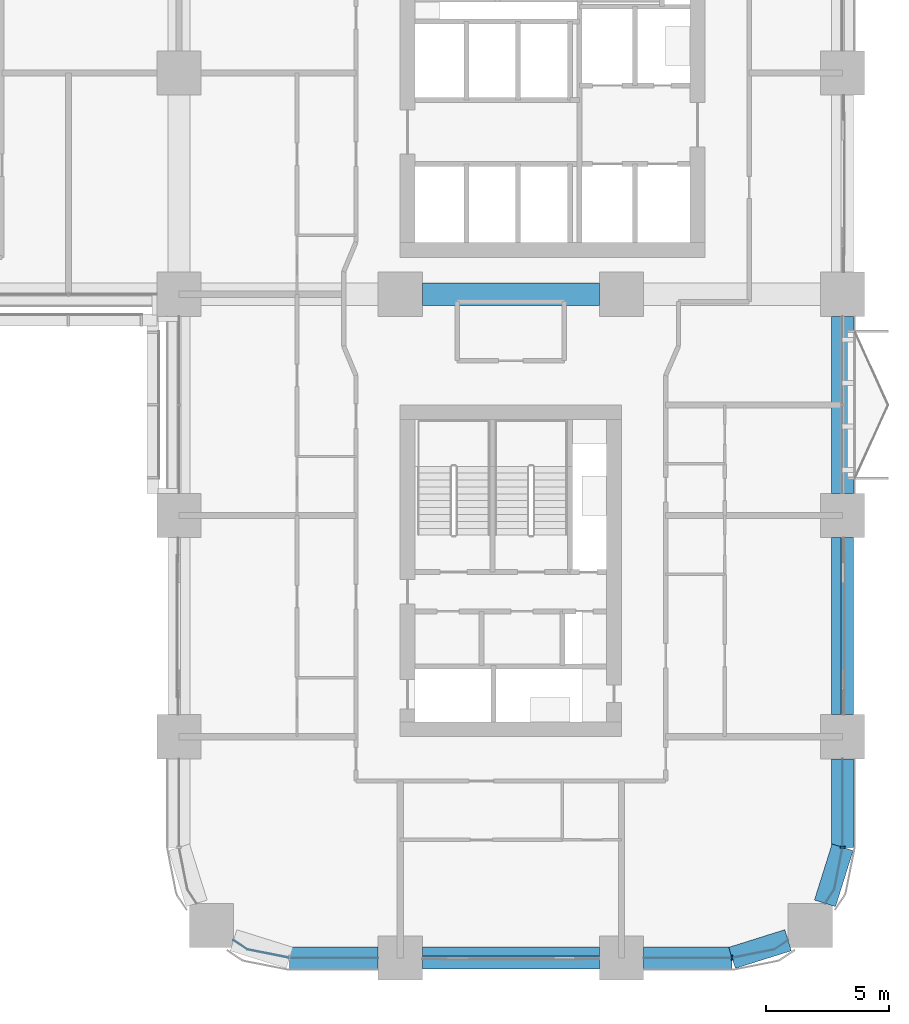
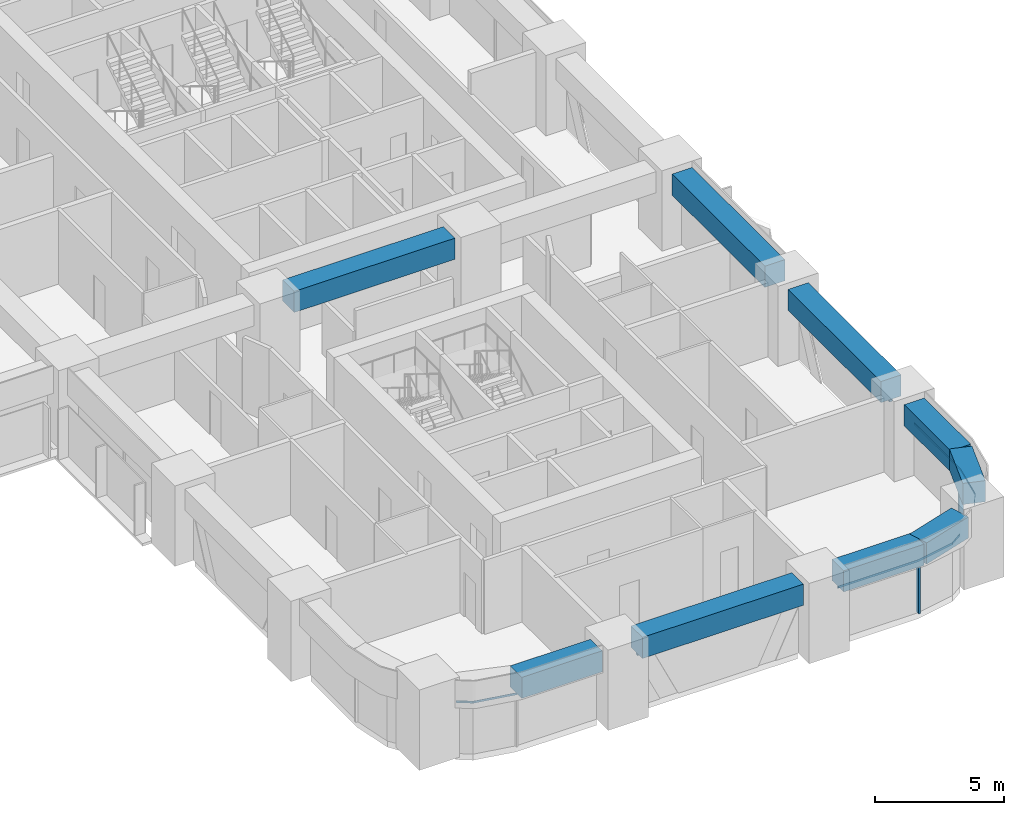
# One storey, part 4 of 18: 9 beams, 7 members, 5 elements without a shape of their own.
"""IFC4 building model written with IfcOpenShell, lengths in metres."""

from ifc_helpers import new_model, si_unit, direction, frame, origin, origin_2d, place, context, subcontext, project, spatial, polyline, rectangle, outline, extrude, material, material_profile, profile_set, type_object, element, aggregate, save


model = new_model("IFC4")

# Units and contexts
model_context = context("Model", 3, precision=1e-05, world=origin(), true_north=direction((0.0, 1.0)))
body_context = subcontext(model_context, "Body", "Model", "MODEL_VIEW")
ifc_project = project(units=[si_unit("LENGTHUNIT", "METRE"), si_unit("AREAUNIT", "SQUARE_METRE"), si_unit("VOLUMEUNIT", "CUBIC_METRE"), si_unit("PLANEANGLEUNIT", "RADIAN"), si_unit("MASSUNIT", "GRAM", prefix="KILO")], contexts=[model_context])

# Site, building, storey
site_placement = place(None, origin())
site = spatial("IfcSite", under=ifc_project, at=site_placement, CompositionType="ELEMENT")
building_placement = place(site_placement, origin())
building = spatial("IfcBuilding", under=site, at=building_placement, Name="Tessera Arch", CompositionType="ELEMENT")
storey_placement = place(building_placement, frame((0.0, 0.0, 104.39990234375)))
storey = spatial("IfcBuildingStorey", under=building, at=storey_placement, Name="L24", CompositionType="ELEMENT", Elevation=104.39990234375)

# Curtain wall, member
ifc_material_1 = material(Name="CW2 curtain wall")
curtain_wall_type_1 = type_object("IfcCurtainWallType", Name="CW2 curtain wall", PredefinedType="NOTDEFINED", material=ifc_material_1)
curtain_wall_1_placement = place(storey_placement, origin())
curtain_wall_1 = element("IfcCurtainWall", 1, at=curtain_wall_1_placement, inside=storey, type_object=curtain_wall_type_1, Name="CW2 curtain wall S0.27/2 L24", PredefinedType="NOTDEFINED")
ifc_material_2 = material(Name="Anodised aluminium pale metal", Category="aluminium")
ifc_material_profile_1 = material_profile(ifc_material_2, rectangle(XDim=0.199951171875, YDim=0.080078125, at=origin_2d()), Name="AL 80x200")
ifc_profile_set_1 = profile_set([ifc_material_profile_1], Name="Anodised aluminium pale metal")
member_type_1 = type_object("IfcMemberType", Name="CW2 mullion", PredefinedType="MULLION", material=ifc_profile_set_1)
member_1_placement = place(storey_placement, frame((49.5, 0.0, 0.0), z_axis=(0.0, 0.0, 1.0), x_axis=(0.0, 1.0, 0.0)))
member_1 = element("IfcMember", 2, at=member_1_placement, type_object=member_type_1, Name="CW2 mullion S0.27/2 1", PredefinedType="MULLION", context=body_context, shape_type="SweptSolid", body=[
    extrude(rectangle(XDim=0.199951171875, YDim=0.080078125, at=origin_2d()), origin(), (0.0, 0.0, 1.0), 2.400146484375),
])

curtain_wall_2_placement = place(storey_placement, origin())
curtain_wall_2 = element("IfcCurtainWall", 3, at=curtain_wall_2_placement, inside=storey, type_object=curtain_wall_type_1, Name="CW2 curtain wall E54.0/0 L24", PredefinedType="NOTDEFINED")
member_2_placement = place(storey_placement, frame((54.0, 4.5, 0.0), z_axis=(0.0, 0.0, 1.0), x_axis=(-1.0, 0.0, 0.0)))
member_2 = element("IfcMember", 4, at=member_2_placement, type_object=member_type_1, Name="CW2 mullion E54.0/0 1", PredefinedType="MULLION", context=body_context, shape_type="SweptSolid", body=[
    extrude(rectangle(XDim=0.199951171875, YDim=0.080078125, at=origin_2d()), origin(), (0.0, 0.0, 1.0), 2.400146484375),
])

curtain_wall_3_placement = place(storey_placement, origin())
curtain_wall_3 = element("IfcCurtainWall", 5, at=curtain_wall_3_placement, inside=storey, type_object=curtain_wall_type_1, Name="CW2 curtain wall S0.27/0 L24", PredefinedType="NOTDEFINED")
ifc_material_3 = material(Name="Anodised aluminium pale metal", Category="aluminium")
ifc_material_profile_2 = material_profile(ifc_material_3, rectangle(XDim=0.199951171875, YDim=0.10009765625, at=origin_2d()), Name="AL 200x100")
ifc_profile_set_2 = profile_set([ifc_material_profile_2], Name="Anodised aluminium pale metal")
member_type_2 = type_object("IfcMemberType", Name="CW2 transom", PredefinedType="USERDEFINED", material=ifc_profile_set_2)
member_3_placement = place(storey_placement, frame((0.0, 0.0, 2.400146484375)))
member_3 = element("IfcMember", 6, at=member_3_placement, type_object=member_type_2, Name="CW2 transom S0.27/0 1", ObjectType="TRANSOM", PredefinedType="USERDEFINED", context=body_context, shape_type="SweptSolid", body=[
    extrude(outline(polyline([(29.78173828125, 0.351806640625), (29.2236328125, 0.72509765625), (29.21240234375, 0.70849609375), (29.77392578125, 0.3330078125), (31.4990234375, -0.010009765625), (35.10009765625, -0.010009765625), (35.10009765625, 0.010009765625), (31.5009765625, 0.010009765625), (29.78173828125, 0.351806640625)])), origin(), (0.0, 0.0, 1.0), 0.099853515625),
])
aggregate(curtain_wall_3, [member_3])

# Member
member_4_placement = place(storey_placement, frame((0.0, 0.0, 2.400146484375)))
member_4 = element("IfcMember", 7, at=member_4_placement, type_object=member_type_2, Name="CW2 transom S0.27/2 1", ObjectType="TRANSOM", PredefinedType="USERDEFINED", context=body_context, shape_type="SweptSolid", body=[
    extrude(outline(polyline([(49.4990234375, 0.010009765625), (45.89990234375, 0.010009765625), (45.89990234375, -0.010009765625), (49.5009765625, -0.010009765625), (51.22607421875, 0.3330078125), (51.78759765625, 0.70849609375), (51.7763671875, 0.72509765625), (51.21826171875, 0.351806640625), (49.4990234375, 0.010009765625)])), origin(), (0.0, 0.0, 1.0), 0.099853515625),
])

aggregate(curtain_wall_1, [member_1, member_4])

member_5_placement = place(storey_placement, frame((0.0, 0.0, 2.400146484375)))
member_5 = element("IfcMember", 8, at=member_5_placement, type_object=member_type_2, Name="CW2 transom E54.0/0 1", ObjectType="TRANSOM", PredefinedType="USERDEFINED", context=body_context, shape_type="SweptSolid", body=[
    extrude(outline(polyline([(53.648193359375, 2.78173828125), (53.27490234375, 2.2236328125), (53.29150390625, 2.21240234375), (53.6669921875, 2.77392578125), (54.010009765625, 4.4990234375), (54.010009765625, 8.10009765625), (53.989990234375, 8.10009765625), (53.989990234375, 4.5009765625), (53.648193359375, 2.78173828125)])), origin(), (0.0, 0.0, 1.0), 0.099853515625),
])

aggregate(curtain_wall_2, [member_2, member_5])

# Curtain wall, member
ifc_material_4 = material(Name="CW3 curtain wall")
curtain_wall_type_2 = type_object("IfcCurtainWallType", Name="CW3 curtain wall", PredefinedType="NOTDEFINED", material=ifc_material_4)
curtain_wall_4_placement = place(storey_placement, origin())
curtain_wall_4 = element("IfcCurtainWall", 9, at=curtain_wall_4_placement, inside=storey, type_object=curtain_wall_type_2, Name="CW3 curtain wall S0.27/1 L24", PredefinedType="NOTDEFINED")
ifc_material_5 = material(Name="Anodised aluminium pale metal", Category="aluminium")
ifc_material_profile_3 = material_profile(ifc_material_5, rectangle(XDim=0.139892578125, YDim=0.10009765625, at=origin_2d()), Name="AL 140x100")
ifc_profile_set_3 = profile_set([ifc_material_profile_3], Name="Anodised aluminium pale metal")
member_type_3 = type_object("IfcMemberType", Name="CW3 transom", PredefinedType="USERDEFINED", material=ifc_profile_set_3)
member_6_placement = place(storey_placement, frame((36.89990234375, 0.0, 2.4501953125), z_axis=(1.0, 0.0, 0.0), x_axis=(0.0, 1.0, 0.0)))
member_6 = element("IfcMember", 10, at=member_6_placement, type_object=member_type_3, Name="CW3 transom S0.27/1 1.1", ObjectType="TRANSOM", PredefinedType="USERDEFINED", context=body_context, shape_type="SweptSolid", body=[
    extrude(rectangle(XDim=0.139892578125, YDim=0.10009765625, at=origin_2d()), origin(), (0.0, 0.0, 1.0), 7.2001953125),
])
aggregate(curtain_wall_4, [member_6])

curtain_wall_5_placement = place(storey_placement, origin())
curtain_wall_5 = element("IfcCurtainWall", 11, at=curtain_wall_5_placement, inside=storey, type_object=curtain_wall_type_2, Name="CW3 curtain wall E54.0/1 L24", PredefinedType="NOTDEFINED")
member_7_placement = place(storey_placement, frame((54.0, 9.89990234375, 2.4501953125), z_axis=(0.0, 1.0, 0.0), x_axis=(-1.0, 0.0, 0.0)))
member_7 = element("IfcMember", 12, at=member_7_placement, type_object=member_type_3, Name="CW3 transom E54.0/1 1.1", ObjectType="TRANSOM", PredefinedType="USERDEFINED", context=body_context, shape_type="SweptSolid", body=[
    extrude(rectangle(XDim=0.139892578125, YDim=0.10009765625, at=origin_2d()), origin(), (0.0, 0.0, 1.0), 7.2001953125),
])
aggregate(curtain_wall_5, [member_7])

# Beams
ifc_material_6 = material(Name="Concrete C80/95", Category="concrete")
ifc_material_profile_4 = material_profile(ifc_material_6, rectangle(XDim=0.89990234375, YDim=1.0, at=origin_2d()), Name="RC spandrel beam 900 x 1000 Concrete C80/95")
ifc_profile_set_4 = profile_set([ifc_material_profile_4], Name="Concrete C80/95")
beam_type = type_object("IfcBeamType", Name="RC spandrel beam 900 x 1000 Concrete C80/95", PredefinedType="BEAM", material=ifc_profile_set_4)
beam_1_placement = place(storey_placement, frame((31.5, 0.0, 3.0), z_axis=(1.0, 0.0, 0.0), x_axis=(0.0, 1.0, 0.0)))
element("IfcBeam", 13, at=beam_1_placement, inside=storey, type_object=beam_type, Name="Spandrel beam L24 S0.27/0.2", PredefinedType="BEAM", context=body_context, shape_type="SweptSolid", body=[
    extrude(rectangle(XDim=0.89990234375, YDim=1.0, at=origin_2d()), origin(), (0.0, 0.0, 1.0), 3.60009765625),
])
beam_2_placement = place(storey_placement, frame((36.89990234375, 0.0, 3.0), z_axis=(1.0, 0.0, 0.0), x_axis=(0.0, 1.0, 0.0)))
element("IfcBeam", 14, at=beam_2_placement, inside=storey, type_object=beam_type, Name="Spandrel beam L24 S0.27/1", PredefinedType="BEAM", context=body_context, shape_type="SweptSolid", body=[
    extrude(rectangle(XDim=0.89990234375, YDim=1.0, at=origin_2d()), origin(), (0.0, 0.0, 1.0), 7.2001953125),
])
beam_3_placement = place(storey_placement, frame((45.89990234375, 0.0, 3.0), z_axis=(1.0, 0.0, 0.0), x_axis=(0.0, 1.0, 0.0)))
element("IfcBeam", 15, at=beam_3_placement, inside=storey, type_object=beam_type, Name="Spandrel beam L24 S0.27/2.1", PredefinedType="BEAM", context=body_context, shape_type="SweptSolid", body=[
    extrude(rectangle(XDim=0.89990234375, YDim=1.0, at=origin_2d()), origin(), (0.0, 0.0, 1.0), 3.60009765625),
])
for number, where, z_axis, x_axis, name in (
    (16, (49.5, 0.0, 3.0), (0.954041251279, 0.299675309057, 0.0), (-0.299675309057, 0.954041251279, 0.0), "Spandrel beam L24 S0.27/2.2"),
    (17, (53.283203125, 2.218017578125, 3.0), (0.299675309057, 0.954041251279, 0.0), (-0.954041251279, 0.299675309057, 0.0), "Spandrel beam L24 E54.0/0.1"),
):
    element("IfcBeam", number, at=place(storey_placement, frame(where, z_axis=z_axis, x_axis=x_axis)), inside=storey, type_object=beam_type, Name=name, PredefinedType="BEAM", context=body_context, shape_type="SweptSolid", body=[
        extrude(rectangle(XDim=0.89990234375, YDim=1.0, at=origin_2d()), origin(), (0.0, 0.0, 1.0), 2.391845703125),
    ])
beam_4_placement = place(storey_placement, frame((54.0, 4.5, 3.0), z_axis=(0.0, 1.0, 0.0), x_axis=(-1.0, 0.0, 0.0)))
element("IfcBeam", 18, at=beam_4_placement, inside=storey, type_object=beam_type, Name="Spandrel beam L24 E54.0/0.2", PredefinedType="BEAM", context=body_context, shape_type="SweptSolid", body=[
    extrude(rectangle(XDim=0.89990234375, YDim=1.0, at=origin_2d()), origin(), (0.0, 0.0, 1.0), 3.60009765625),
])
for number, where, z_axis, x_axis, name in (
    (19, (54.0, 9.89990234375, 3.0), (0.0, 1.0, 0.0), (-1.0, 0.0, 0.0), "Spandrel beam L24 E54.0/1"),
    (20, (54.0, 18.89990234375, 3.0), (0.0, 1.0, 0.0), (-1.0, 0.0, 0.0), "Spandrel beam L24 E54.0/2"),
    (21, (36.89990234375, 27.0, 3.0), (1.0, 0.0, 0.0), (0.0, 1.0, 0.0), "Interface beam L24 I1C5D-C6D"),
):
    element("IfcBeam", number, at=place(storey_placement, frame(where, z_axis=z_axis, x_axis=x_axis)), inside=storey, type_object=beam_type, Name=name, PredefinedType="BEAM", context=body_context, shape_type="SweptSolid", body=[
        extrude(rectangle(XDim=0.89990234375, YDim=1.0, at=origin_2d()), origin(), (0.0, 0.0, 1.0), 7.2001953125),
    ])

save(model, "model.ifc")
